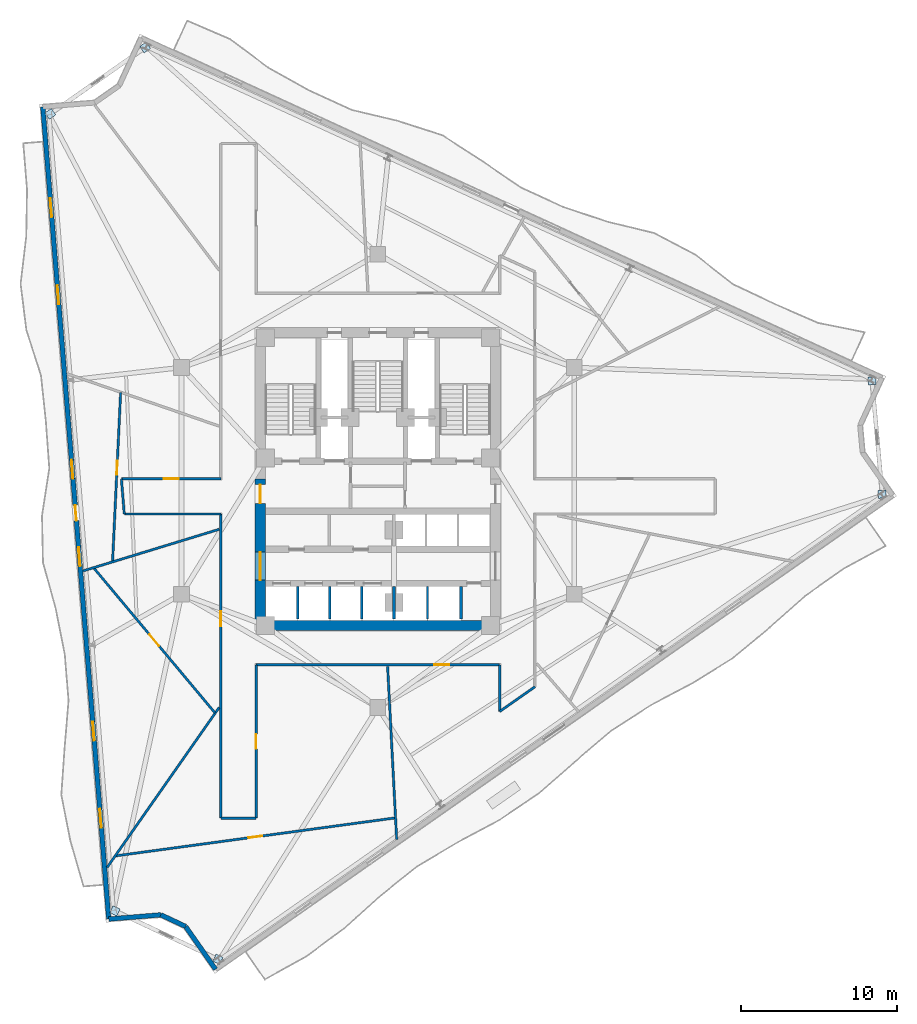
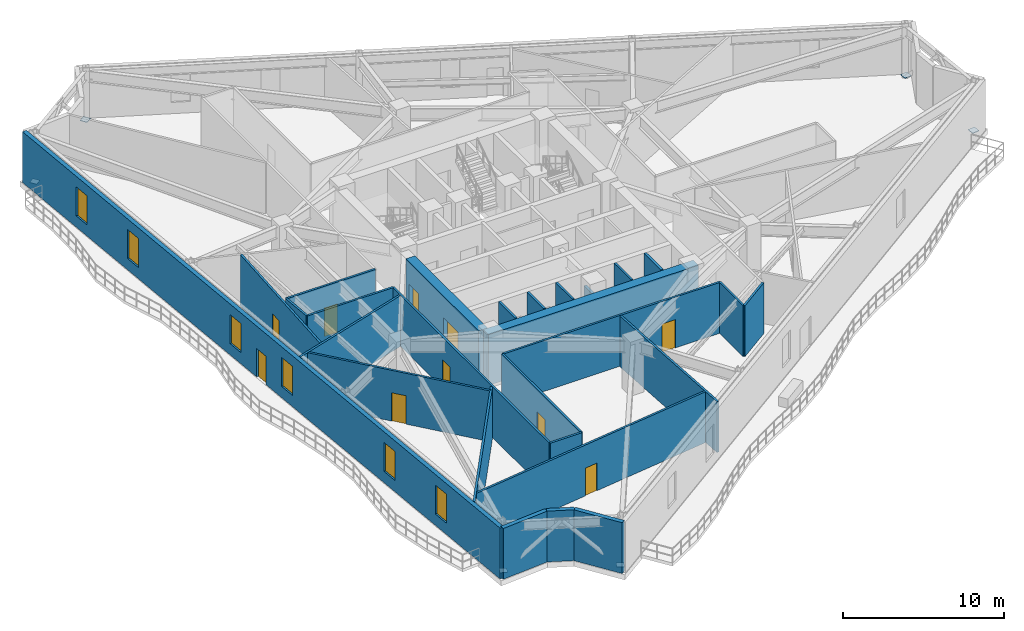
# One storey, part 7 of 14: 27 walls, 10 doors, 6 plates, 6 windows, 16 openings.
"""IFC4 building model written with IfcOpenShell, lengths in metres."""

from ifc_helpers import new_model, si_unit, direction, frame, frame_2d, origin, origin_2d, place, context, subcontext, project, spatial, rectangle, extrude, material, layer, layer_set, type_object, element, fill, save


model = new_model("IFC4")

# Units and contexts
model_context = context("Model", 3, precision=1e-05, world=origin(), true_north=direction((0.0, 1.0)))
body_context = subcontext(model_context, "Body", "Model", "MODEL_VIEW")
ifc_project = project(units=[si_unit("LENGTHUNIT", "METRE"), si_unit("AREAUNIT", "SQUARE_METRE"), si_unit("VOLUMEUNIT", "CUBIC_METRE"), si_unit("PLANEANGLEUNIT", "RADIAN"), si_unit("MASSUNIT", "GRAM", prefix="KILO")], contexts=[model_context])

# Site, building, storey
site_placement = place(None, origin())
site = spatial("IfcSite", under=ifc_project, at=site_placement, CompositionType="ELEMENT")
building_placement = place(site_placement, origin())
building = spatial("IfcBuilding", under=site, at=building_placement, Name="Apsidion Concourse Tower", CompositionType="ELEMENT")
storey_placement = place(building_placement, frame((0.0, 0.0, 194.199951171875)))
storey = spatial("IfcBuildingStorey", under=building, at=storey_placement, Name="L45", CompositionType="ELEMENT", Elevation=194.199951171875)

# Plates
ifc_material_1 = material(Name="Structural steel ASTM A572 Grade 50", Category="steel")
ifc_layer_1 = layer(ifc_material_1, 0.034912109375)
ifc_layer_set_1 = layer_set([ifc_layer_1], Name="Structural steel ASTM A572 Grade 50")
plate_type = type_object("IfcPlateType", Name="PL-ENDCAP-35", PredefinedType="USERDEFINED", material=ifc_layer_set_1)
for number, where, z_axis, x_axis, name in (
    (1, (-16.824951171875, -27.514892578125, 0.1025390625), (0.0, 0.0, 1.0), (-0.904975622348, 0.425463421407, 0.0), "L45 Chevron Base End Plate KNB-1-1"),
    (2, (-10.234619140625, -30.613525390625, 0.1025390625), (0.0, 0.0, 1.0), (-0.904975622348, 0.425463421407, 0.0), "L45 Chevron Base End Plate KNB-1-2"),
    (3, (32.267822265625, -0.853271484375, 0.1025390625), (0.0, 0.0, 1.0), (-0.090284945449, 0.995915974681, 0.0), "L45 Chevron Base End Plate KNB-2-1"),
    (4, (31.60986328125, 6.399658203125, 0.1025390625), (0.0, 0.0, 1.0), (-0.090284945449, 0.995915974681, 0.0), "L45 Chevron Base End Plate KNB-2-2"),
    (5, (-14.887451171875, 27.71923828125, 0.1025390625), (0.0, 0.0, 1.0), (0.819152044289, 0.573576436351, 0.0), "L45 Chevron Base End Plate KNB-3-1"),
    (6, (-20.955810546875, 23.47021484375, 0.1025390625), (0.0, 0.0, 1.0), (0.819152044289, 0.573576436351, 0.0), "L45 Chevron Base End Plate KNB-3-2"),
):
    element("IfcPlate", number, at=place(storey_placement, frame(where, z_axis=z_axis, x_axis=x_axis)), inside=storey, type_object=plate_type, Name=name, ObjectType="FLANGE_PLATE", PredefinedType="USERDEFINED", context=body_context, shape_type="SweptSolid", body=[
        extrude(rectangle(XDim=0.5, YDim=0.5, at=origin_2d()), origin(), (0.0, 0.0, 1.0), 0.034912109375),
    ])

# Walls
ifc_material_2 = material(Name="Precast concrete C40/50", Category="concrete")
ifc_layer_2 = layer(ifc_material_2, 0.300048828125)
ifc_layer_set_2 = layer_set([ifc_layer_2], Name="Precast concrete C40/50")
wall_type_1 = type_object("IfcWallType", Name="WL-EXT-300", PredefinedType="STANDARD", material=ifc_layer_set_2)
wall_1_placement = place(storey_placement, frame((-10.384033203125, -31.251708984375, 0.0), z_axis=(0.0, 0.0, 1.0), x_axis=(-0.573550493689, 0.819170208925, 0.0)))
element("IfcWall", 7, at=wall_1_placement, inside=storey, type_object=wall_type_1, Name="L45 Precast Stone Facade Wall 06", PredefinedType="STANDARD", context=body_context, shape_type="SweptSolid", body=[
    extrude(rectangle(XDim=3.345703125, YDim=0.300048828125, at=frame_2d((1.6728515625, 0.0))), origin(), (0.0, 0.0, 1.0), 3.85009765625),
])
wall_2_placement = place(storey_placement, frame((-12.302978515625, -28.510986328125, 0.0), z_axis=(0.0, 0.0, 1.0), x_axis=(-0.904974111733, 0.425466634523, 0.0)))
element("IfcWall", 8, at=wall_2_placement, inside=storey, type_object=wall_type_1, Name="L45 Precast Stone Facade Wall 07", PredefinedType="STANDARD", context=body_context, shape_type="SweptSolid", body=[
    extrude(rectangle(XDim=1.743896484375, YDim=0.300048828125, at=frame_2d((0.8720703125, 0.0))), origin(), (0.0, 0.0, 1.0), 3.85009765625),
])
wall_3_placement = place(storey_placement, frame((-13.881103515625, -27.76904296875, 0.0), z_axis=(0.0, 0.0, 1.0), x_axis=(-0.996720145674, -0.080925590567, 0.0)))
element("IfcWall", 9, at=wall_3_placement, inside=storey, type_object=wall_type_1, Name="L45 Precast Stone Facade Wall 08", PredefinedType="STANDARD", context=body_context, shape_type="SweptSolid", body=[
    extrude(rectangle(XDim=3.345703125, YDim=0.300048828125, at=frame_2d((1.6728515625, 0.0))), origin(), (0.0, 0.0, 1.0), 3.85009765625),
])

# Wall, openings, door, windows
wall_4_placement = place(storey_placement, frame((-17.2158203125, -28.039794921875, 0.0), z_axis=(0.0, 0.0, 1.0), x_axis=(-0.080930933538, 0.996719711853, 0.0)))
wall_4 = element("IfcWall", 10, at=wall_4_placement, inside=storey, type_object=wall_type_1, Name="L45 Precast Stone Facade Wall 09", PredefinedType="STANDARD", context=body_context, shape_type="SweptSolid", body=[
    extrude(rectangle(XDim=52.127685546875, YDim=0.300048828125, at=frame_2d((26.06396484375, 0.0))), origin(), (0.0, 0.0, 1.0), 3.85009765625),
])
opening_1_placement = place(wall_4_placement, frame((25.56396484375, 0.0, 0.0)))
opening_1 = element("IfcOpeningElement", 11, at=opening_1_placement, cuts=wall_4, Name="Opening D-T1R", PredefinedType="OPENING", context=body_context, shape_type="SweptSolid", body=[
    extrude(rectangle(XDim=1.0, YDim=2.14990234375, at=frame_2d((0.5, 1.074951171875))), frame((0.0, 0.16015625, 0.0), z_axis=(0.0, -1.0, 0.0), x_axis=(1.0, 0.0, 0.0)), (0.0, 0.0, 1.0), 0.320068359375),
])
opening_2_placement = place(wall_4_placement, frame((5.864013671875, 0.0, 0.85009765625)))
opening_2 = element("IfcOpeningElement", 12, at=opening_2_placement, cuts=wall_4, Name="Opening WN-06", PredefinedType="OPENING", context=body_context, shape_type="SweptSolid", body=[
    extrude(rectangle(XDim=1.199951171875, YDim=2.199951171875, at=frame_2d((0.60009765625, 1.10009765625))), frame((0.0, 0.16015625, 0.0), z_axis=(0.0, -1.0, 0.0), x_axis=(1.0, 0.0, 0.0)), (0.0, 0.0, 1.0), 0.320068359375),
])
opening_3_placement = place(wall_4_placement, frame((11.4638671875, 0.0, 0.85009765625)))
opening_3 = element("IfcOpeningElement", 13, at=opening_3_placement, cuts=wall_4, Name="Opening WN-06", PredefinedType="OPENING", context=body_context, shape_type="SweptSolid", body=[
    extrude(rectangle(XDim=1.199951171875, YDim=2.199951171875, at=frame_2d((0.60009765625, 1.10009765625))), frame((0.0, 0.16015625, 0.0), z_axis=(0.0, -1.0, 0.0), x_axis=(1.0, 0.0, 0.0)), (0.0, 0.0, 1.0), 0.320068359375),
])
opening_4_placement = place(wall_4_placement, frame((22.663818359375, 0.0, 0.85009765625)))
opening_4 = element("IfcOpeningElement", 14, at=opening_4_placement, cuts=wall_4, Name="Opening WN-06", PredefinedType="OPENING", context=body_context, shape_type="SweptSolid", body=[
    extrude(rectangle(XDim=1.199951171875, YDim=2.199951171875, at=frame_2d((0.60009765625, 1.10009765625))), frame((0.0, 0.16015625, 0.0), z_axis=(0.0, -1.0, 0.0), x_axis=(1.0, 0.0, 0.0)), (0.0, 0.0, 1.0), 0.320068359375),
])
opening_5_placement = place(wall_4_placement, frame((28.263916015625, 0.0, 0.85009765625)))
opening_5 = element("IfcOpeningElement", 15, at=opening_5_placement, cuts=wall_4, Name="Opening WN-06", PredefinedType="OPENING", context=body_context, shape_type="SweptSolid", body=[
    extrude(rectangle(XDim=1.199951171875, YDim=2.199951171875, at=frame_2d((0.60009765625, 1.10009765625))), frame((0.0, 0.16015625, 0.0), z_axis=(0.0, -1.0, 0.0), x_axis=(1.0, 0.0, 0.0)), (0.0, 0.0, 1.0), 0.320068359375),
])
opening_6_placement = place(wall_4_placement, frame((39.4638671875, 0.0, 0.85009765625)))
opening_6 = element("IfcOpeningElement", 16, at=opening_6_placement, cuts=wall_4, Name="Opening WN-06", PredefinedType="OPENING", context=body_context, shape_type="SweptSolid", body=[
    extrude(rectangle(XDim=1.199951171875, YDim=2.199951171875, at=frame_2d((0.60009765625, 1.10009765625))), frame((0.0, 0.16015625, 0.0), z_axis=(0.0, -1.0, 0.0), x_axis=(1.0, 0.0, 0.0)), (0.0, 0.0, 1.0), 0.320068359375),
])
opening_7_placement = place(wall_4_placement, frame((45.06396484375, 0.0, 0.85009765625)))
opening_7 = element("IfcOpeningElement", 17, at=opening_7_placement, cuts=wall_4, Name="Opening WN-06", PredefinedType="OPENING", context=body_context, shape_type="SweptSolid", body=[
    extrude(rectangle(XDim=1.199951171875, YDim=2.199951171875, at=frame_2d((0.60009765625, 1.10009765625))), frame((0.0, 0.16015625, 0.0), z_axis=(0.0, -1.0, 0.0), x_axis=(1.0, 0.0, 0.0)), (0.0, 0.0, 1.0), 0.320068359375),
])
ifc_material_3 = material(Name="Anodised aluminium EN AW-6063 T6", Category="aluminium")
door_type_1 = type_object("IfcDoorType", Name="DR-TER-1022R", OperationType="SINGLE_SWING_RIGHT", PredefinedType="DOOR", material=ifc_material_3)
door_1_placement = place(opening_1_placement, origin())
door_1 = element("IfcDoor", 18, at=door_1_placement, inside=storey, type_object=door_type_1, Name="L45 Balcony Access Door 1", OperationType="SINGLE_SWING_RIGHT", OverallHeight=2.14990234375, OverallWidth=1.0, PredefinedType="DOOR", context=body_context, shape_type="SweptSolid", body=[
    extrude(rectangle(XDim=1.0, YDim=2.14990234375, at=frame_2d((0.5, 1.074951171875))), frame((0.0, 0.02490234375, 0.0), z_axis=(0.0, -1.0, 0.0), x_axis=(1.0, 0.0, 0.0)), (0.0, 0.0, 1.0), 0.050048828125),
])
fill(opening_1, door_1)
ifc_material_4 = material(Name="Insulated laminated low-E glass", Category="glass")
window_type = type_object("IfcWindowType", Name="WN-OFF-1224", PartitioningType="SINGLE_PANEL", PredefinedType="WINDOW", material=ifc_material_4)
window_1_placement = place(opening_2_placement, origin())
window_1 = element("IfcWindow", 19, at=window_1_placement, inside=storey, type_object=window_type, Name="L45 Punched Facade Window 9-01", OverallHeight=2.199951171875, OverallWidth=1.199951171875, PartitioningType="SINGLE_PANEL", PredefinedType="WINDOW", context=body_context, shape_type="SweptSolid", body=[
    extrude(rectangle(XDim=1.199951171875, YDim=2.199951171875, at=frame_2d((0.60009765625, 1.10009765625))), frame((0.0, 0.030029296875, 0.0), z_axis=(0.0, -1.0, 0.0), x_axis=(1.0, 0.0, 0.0)), (0.0, 0.0, 1.0), 0.06005859375),
])
fill(opening_2, window_1)
window_2_placement = place(opening_3_placement, origin())
window_2 = element("IfcWindow", 20, at=window_2_placement, inside=storey, type_object=window_type, Name="L45 Punched Facade Window 9-02", OverallHeight=2.199951171875, OverallWidth=1.199951171875, PartitioningType="SINGLE_PANEL", PredefinedType="WINDOW", context=body_context, shape_type="SweptSolid", body=[
    extrude(rectangle(XDim=1.199951171875, YDim=2.199951171875, at=frame_2d((0.60009765625, 1.10009765625))), frame((0.0, 0.030029296875, 0.0), z_axis=(0.0, -1.0, 0.0), x_axis=(1.0, 0.0, 0.0)), (0.0, 0.0, 1.0), 0.06005859375),
])
fill(opening_3, window_2)
window_3_placement = place(opening_4_placement, origin())
window_3 = element("IfcWindow", 21, at=window_3_placement, inside=storey, type_object=window_type, Name="L45 Punched Facade Window 9-04", OverallHeight=2.199951171875, OverallWidth=1.199951171875, PartitioningType="SINGLE_PANEL", PredefinedType="WINDOW", context=body_context, shape_type="SweptSolid", body=[
    extrude(rectangle(XDim=1.199951171875, YDim=2.199951171875, at=frame_2d((0.60009765625, 1.10009765625))), frame((0.0, 0.030029296875, 0.0), z_axis=(0.0, -1.0, 0.0), x_axis=(1.0, 0.0, 0.0)), (0.0, 0.0, 1.0), 0.06005859375),
])
fill(opening_4, window_3)
window_4_placement = place(opening_5_placement, origin())
window_4 = element("IfcWindow", 22, at=window_4_placement, inside=storey, type_object=window_type, Name="L45 Punched Facade Window 9-05", OverallHeight=2.199951171875, OverallWidth=1.199951171875, PartitioningType="SINGLE_PANEL", PredefinedType="WINDOW", context=body_context, shape_type="SweptSolid", body=[
    extrude(rectangle(XDim=1.199951171875, YDim=2.199951171875, at=frame_2d((0.60009765625, 1.10009765625))), frame((0.0, 0.030029296875, 0.0), z_axis=(0.0, -1.0, 0.0), x_axis=(1.0, 0.0, 0.0)), (0.0, 0.0, 1.0), 0.06005859375),
])
fill(opening_5, window_4)
window_5_placement = place(opening_6_placement, origin())
window_5 = element("IfcWindow", 23, at=window_5_placement, inside=storey, type_object=window_type, Name="L45 Punched Facade Window 9-07", OverallHeight=2.199951171875, OverallWidth=1.199951171875, PartitioningType="SINGLE_PANEL", PredefinedType="WINDOW", context=body_context, shape_type="SweptSolid", body=[
    extrude(rectangle(XDim=1.199951171875, YDim=2.199951171875, at=frame_2d((0.60009765625, 1.10009765625))), frame((0.0, 0.030029296875, 0.0), z_axis=(0.0, -1.0, 0.0), x_axis=(1.0, 0.0, 0.0)), (0.0, 0.0, 1.0), 0.06005859375),
])
fill(opening_6, window_5)
window_6_placement = place(opening_7_placement, origin())
window_6 = element("IfcWindow", 24, at=window_6_placement, inside=storey, type_object=window_type, Name="L45 Punched Facade Window 9-08", OverallHeight=2.199951171875, OverallWidth=1.199951171875, PartitioningType="SINGLE_PANEL", PredefinedType="WINDOW", context=body_context, shape_type="SweptSolid", body=[
    extrude(rectangle(XDim=1.199951171875, YDim=2.199951171875, at=frame_2d((0.60009765625, 1.10009765625))), frame((0.0, 0.030029296875, 0.0), z_axis=(0.0, -1.0, 0.0), x_axis=(1.0, 0.0, 0.0)), (0.0, 0.0, 1.0), 0.06005859375),
])
fill(opening_7, window_6)

# Walls
ifc_material_5 = material(Name="Gypsum plasterboard partition")
ifc_layer_3 = layer(ifc_material_5, 0.14990234375)
ifc_layer_set_3 = layer_set([ifc_layer_3], Name="Gypsum plasterboard partition")
wall_type_2 = type_object("IfcWallType", Name="WL-INT-PAR-150", PredefinedType="PARTITIONING", material=ifc_layer_set_3)
for number, where, z_axis, x_axis, name in (
    (25, (-5.125, -8.85009765625, 0.0), (0.0, 0.0, 1.0), (0.0, 1.0, 0.0), "L45 Interior Partition WL-L45-B2DIV-1"),
    (26, (-3.074951171875, -8.85009765625, 0.0), (0.0, 0.0, 1.0), (0.0, 1.0, 0.0), "L45 Interior Partition WL-L45-B2DIV-2"),
    (27, (-1.02490234375, -8.85009765625, 0.0), (0.0, 0.0, 1.0), (0.0, 1.0, 0.0), "L45 Interior Partition WL-L45-B2DIV-3"),
    (28, (3.175048828125, -8.85009765625, 0.0), (0.0, 0.0, 1.0), (0.0, 1.0, 0.0), "L45 Interior Partition WL-L45-SHDIV-1"),
):
    element("IfcWall", number, at=place(storey_placement, frame(where, z_axis=z_axis, x_axis=x_axis)), inside=storey, type_object=wall_type_2, Name=name, PredefinedType="PARTITIONING", context=body_context, shape_type="SweptSolid", body=[
        extrude(rectangle(XDim=2.080078125, YDim=0.14990234375, at=frame_2d((1.0400390625, 0.0))), origin(), (0.0, 0.0, 1.0), 3.85009765625),
    ])
wall_5_placement = place(storey_placement, frame((10.050048828125, -13.177490234375, 0.0), z_axis=(0.0, 0.0, 1.0), x_axis=(-0.819144609591, -0.573587054053, 0.0)))
element("IfcWall", 29, at=wall_5_placement, inside=storey, type_object=wall_type_2, Name="L45 Interior Partition WL-L45-CORR-01", PredefinedType="PARTITIONING", context=body_context, shape_type="SweptSolid", body=[
    extrude(rectangle(XDim=2.759033203125, YDim=0.14990234375, at=frame_2d((1.37939453125, 0.0))), origin(), (0.0, 0.0, 1.0), 3.85009765625),
])
wall_6_placement = place(storey_placement, frame((7.7900390625, -14.760009765625, 0.0), z_axis=(0.0, 0.0, 1.0), x_axis=(0.0, 1.0, 0.0)))
element("IfcWall", 30, at=wall_6_placement, inside=storey, type_object=wall_type_2, Name="L45 Interior Partition WL-L45-CORR-02", PredefinedType="PARTITIONING", context=body_context, shape_type="SweptSolid", body=[
    extrude(rectangle(XDim=2.985107421875, YDim=0.14990234375, at=frame_2d((1.49267578125, 0.0))), origin(), (0.0, 0.0, 1.0), 3.85009765625),
])

# Wall, opening, door
wall_7_placement = place(storey_placement, frame((7.7900390625, -11.77490234375, 0.0), z_axis=(0.0, 0.0, 1.0), x_axis=(-1.0, 0.0, 0.0)))
wall_7 = element("IfcWall", 31, at=wall_7_placement, inside=storey, type_object=wall_type_2, Name="L45 Interior Partition WL-L45-CORR-03", PredefinedType="PARTITIONING", context=body_context, shape_type="SweptSolid", body=[
    extrude(rectangle(XDim=15.580078125, YDim=0.14990234375, at=frame_2d((7.7900390625, 0.0))), origin(), (0.0, 0.0, 1.0), 3.85009765625),
])
opening_8_placement = place(wall_7_placement, frame((3.23779296875, 0.0, 0.0)))
opening_8 = element("IfcOpeningElement", 32, at=opening_8_placement, cuts=wall_7, Name="Opening D-01L", PredefinedType="OPENING", context=body_context, shape_type="SweptSolid", body=[
    extrude(rectangle(XDim=0.949951171875, YDim=2.14990234375, at=frame_2d((0.47509765625, 1.074951171875))), frame((0.0, 0.0849609375, 0.0), z_axis=(0.0, -1.0, 0.0), x_axis=(1.0, 0.0, 0.0)), (0.0, 0.0, 1.0), 0.169921875),
])
ifc_material_6 = material(Name="Brushed stainless steel 316", Category="steel")
door_type_2 = type_object("IfcDoorType", Name="DR-INT-D01L", OperationType="SINGLE_SWING_LEFT", PredefinedType="DOOR", material=ifc_material_6)
door_2_placement = place(opening_8_placement, origin())
door_2 = element("IfcDoor", 33, at=door_2_placement, inside=storey, type_object=door_type_2, Name="L45 Corridor Entry Door 03", OperationType="SINGLE_SWING_LEFT", OverallHeight=2.14990234375, OverallWidth=0.949951171875, PredefinedType="DOOR", context=body_context, shape_type="SweptSolid", body=[
    extrude(rectangle(XDim=0.949951171875, YDim=2.14990234375, at=frame_2d((0.47509765625, 1.074951171875))), frame((0.0, 0.02490234375, 0.0), z_axis=(0.0, -1.0, 0.0), x_axis=(1.0, 0.0, 0.0)), (0.0, 0.0, 1.0), 0.050048828125),
])
fill(opening_8, door_2)

wall_8_placement = place(storey_placement, frame((-7.7900390625, -11.77490234375, 0.0), z_axis=(0.0, 0.0, 1.0), x_axis=(0.0, -1.0, 0.0)))
wall_8 = element("IfcWall", 34, at=wall_8_placement, inside=storey, type_object=wall_type_2, Name="L45 Interior Partition WL-L45-CORR-04", PredefinedType="PARTITIONING", context=body_context, shape_type="SweptSolid", body=[
    extrude(rectangle(XDim=9.80517578125, YDim=0.14990234375, at=frame_2d((4.902587890625, 0.0))), origin(), (0.0, 0.0, 1.0), 3.85009765625),
])
opening_9_placement = place(wall_8_placement, frame((4.427490234375, 0.0, 0.0)))
opening_9 = element("IfcOpeningElement", 35, at=opening_9_placement, cuts=wall_8, Name="Opening D-01R", PredefinedType="OPENING", context=body_context, shape_type="SweptSolid", body=[
    extrude(rectangle(XDim=0.949951171875, YDim=2.14990234375, at=frame_2d((0.47509765625, 1.074951171875))), frame((0.0, 0.0849609375, 0.0), z_axis=(0.0, -1.0, 0.0), x_axis=(1.0, 0.0, 0.0)), (0.0, 0.0, 1.0), 0.169921875),
])
door_type_3 = type_object("IfcDoorType", Name="DR-INT-D01R", OperationType="SINGLE_SWING_RIGHT", PredefinedType="DOOR", material=ifc_material_6)
door_3_placement = place(opening_9_placement, origin())
door_3 = element("IfcDoor", 36, at=door_3_placement, inside=storey, type_object=door_type_3, Name="L45 Corridor Entry Door 02", OperationType="SINGLE_SWING_RIGHT", OverallHeight=2.14990234375, OverallWidth=0.949951171875, PredefinedType="DOOR", context=body_context, shape_type="SweptSolid", body=[
    extrude(rectangle(XDim=0.949951171875, YDim=2.14990234375, at=frame_2d((0.47509765625, 1.074951171875))), frame((0.0, 0.02490234375, 0.0), z_axis=(0.0, -1.0, 0.0), x_axis=(1.0, 0.0, 0.0)), (0.0, 0.0, 1.0), 0.050048828125),
])
fill(opening_9, door_3)

# Wall
wall_9_placement = place(storey_placement, frame((-7.7900390625, -21.580078125, 0.0), z_axis=(0.0, 0.0, 1.0), x_axis=(-1.0, 0.0, 0.0)))
element("IfcWall", 37, at=wall_9_placement, inside=storey, type_object=wall_type_2, Name="L45 Interior Partition WL-L45-CORR-05", PredefinedType="PARTITIONING", context=body_context, shape_type="SweptSolid", body=[
    extrude(rectangle(XDim=2.260009765625, YDim=0.14990234375, at=frame_2d((1.1298828125, 0.0))), origin(), (0.0, 0.0, 1.0), 3.85009765625),
])

# Wall, opening, door
wall_10_placement = place(storey_placement, frame((-10.050048828125, -21.580078125, 0.0), z_axis=(0.0, 0.0, 1.0), x_axis=(0.0, 1.0, 0.0)))
wall_10 = element("IfcWall", 38, at=wall_10_placement, inside=storey, type_object=wall_type_2, Name="L45 Interior Partition WL-L45-CORR-06", PredefinedType="PARTITIONING", context=body_context, shape_type="SweptSolid", body=[
    extrude(rectangle(XDim=19.4501953125, YDim=0.14990234375, at=frame_2d((9.72509765625, 0.0))), origin(), (0.0, 0.0, 1.0), 3.85009765625),
])
opening_10_placement = place(wall_10_placement, frame((12.2744140625, 0.0, 0.0)))
opening_10 = element("IfcOpeningElement", 39, at=opening_10_placement, cuts=wall_10, Name="Opening D-01L", PredefinedType="OPENING", context=body_context, shape_type="SweptSolid", body=[
    extrude(rectangle(XDim=0.949951171875, YDim=2.14990234375, at=frame_2d((0.47509765625, 1.074951171875))), frame((0.0, 0.0849609375, 0.0), z_axis=(0.0, -1.0, 0.0), x_axis=(1.0, 0.0, 0.0)), (0.0, 0.0, 1.0), 0.169921875),
])
door_4_placement = place(opening_10_placement, origin())
door_4 = element("IfcDoor", 40, at=door_4_placement, inside=storey, type_object=door_type_2, Name="L45 Corridor Entry Door 01", OperationType="SINGLE_SWING_LEFT", OverallHeight=2.14990234375, OverallWidth=0.949951171875, PredefinedType="DOOR", context=body_context, shape_type="SweptSolid", body=[
    extrude(rectangle(XDim=0.949951171875, YDim=2.14990234375, at=frame_2d((0.47509765625, 1.074951171875))), frame((0.0, 0.02490234375, 0.0), z_axis=(0.0, -1.0, 0.0), x_axis=(1.0, 0.0, 0.0)), (0.0, 0.0, 1.0), 0.050048828125),
])
fill(opening_10, door_4)

# Walls
wall_11_placement = place(storey_placement, frame((-10.050048828125, -2.1298828125, 0.0), z_axis=(0.0, 0.0, 1.0), x_axis=(-1.0, 0.0, 0.0)))
element("IfcWall", 41, at=wall_11_placement, inside=storey, type_object=wall_type_2, Name="L45 Interior Partition WL-L45-CORR-07", PredefinedType="PARTITIONING", context=body_context, shape_type="SweptSolid", body=[
    extrude(rectangle(XDim=6.17431640625, YDim=0.14990234375, at=frame_2d((3.087158203125, 0.0))), origin(), (0.0, 0.0, 1.0), 3.85009765625),
])
wall_12_placement = place(storey_placement, frame((-16.224365234375, -2.1298828125, 0.0), z_axis=(0.0, 0.0, 1.0), x_axis=(-0.080977783256, 0.996715906675, 0.0)))
element("IfcWall", 42, at=wall_12_placement, inside=storey, type_object=wall_type_2, Name="L45 Interior Partition WL-L45-CORR-08", PredefinedType="PARTITIONING", context=body_context, shape_type="SweptSolid", body=[
    extrude(rectangle(XDim=2.26708984375, YDim=0.14990234375, at=frame_2d((1.133544921875, 0.0))), origin(), (0.0, 0.0, 1.0), 3.85009765625),
])

# Wall, opening, door
wall_13_placement = place(storey_placement, frame((-16.407958984375, 0.1298828125, 0.0), z_axis=(0.0, 0.0, 1.0), x_axis=(1.0, 0.0, 0.0)))
wall_13 = element("IfcWall", 43, at=wall_13_placement, inside=storey, type_object=wall_type_2, Name="L45 Interior Partition WL-L45-CORR-09", PredefinedType="PARTITIONING", context=body_context, shape_type="SweptSolid", body=[
    extrude(rectangle(XDim=6.35791015625, YDim=0.14990234375, at=frame_2d((3.178955078125, 0.0))), origin(), (0.0, 0.0, 1.0), 3.85009765625),
])
opening_11_placement = place(wall_13_placement, frame((2.7041015625, 0.0, 0.0)))
opening_11 = element("IfcOpeningElement", 44, at=opening_11_placement, cuts=wall_13, Name="Opening D-01R", PredefinedType="OPENING", context=body_context, shape_type="SweptSolid", body=[
    extrude(rectangle(XDim=0.949951171875, YDim=2.14990234375, at=frame_2d((0.47509765625, 1.074951171875))), frame((0.0, 0.0849609375, 0.0), z_axis=(0.0, -1.0, 0.0), x_axis=(1.0, 0.0, 0.0)), (0.0, 0.0, 1.0), 0.169921875),
])
door_5_placement = place(opening_11_placement, origin())
door_5 = element("IfcDoor", 45, at=door_5_placement, inside=storey, type_object=door_type_3, Name="L45 Corridor Entry Door 10", OperationType="SINGLE_SWING_RIGHT", OverallHeight=2.14990234375, OverallWidth=0.949951171875, PredefinedType="DOOR", context=body_context, shape_type="SweptSolid", body=[
    extrude(rectangle(XDim=0.949951171875, YDim=2.14990234375, at=frame_2d((0.47509765625, 1.074951171875))), frame((0.0, 0.02490234375, 0.0), z_axis=(0.0, -1.0, 0.0), x_axis=(1.0, 0.0, 0.0)), (0.0, 0.0, 1.0), 0.050048828125),
])
fill(opening_11, door_5)

# Walls
wall_14_placement = place(storey_placement, frame((-10.155029296875, -3.104736328125, 0.0), z_axis=(0.0, 0.0, 1.0), x_axis=(-0.956309289752, -0.292356874955, 0.0)))
element("IfcWall", 46, at=wall_14_placement, inside=storey, type_object=wall_type_2, Name="L45 Interior Partition WL-L45-RAD-06-1", PredefinedType="PARTITIONING", context=body_context, shape_type="SweptSolid", body=[
    extrude(rectangle(XDim=9.1015625, YDim=0.14990234375, at=frame_2d((4.55078125, 0.0))), origin(), (0.0, 0.0, 1.0), 3.85009765625),
])
wall_15_placement = place(storey_placement, frame((-10.155029296875, -14.502685546875, 0.0), z_axis=(0.0, 0.0, 1.0), x_axis=(-0.573564669428, -0.819160283452, 0.0)))
element("IfcWall", 47, at=wall_15_placement, inside=storey, type_object=wall_type_2, Name="L45 Interior Partition WL-L45-RAD-07-1", PredefinedType="PARTITIONING", context=body_context, shape_type="SweptSolid", body=[
    extrude(rectangle(XDim=12.489501953125, YDim=0.14990234375, at=frame_2d((6.24462890625, 0.0))), origin(), (0.0, 0.0, 1.0), 3.85009765625),
])
wall_16_placement = place(storey_placement, frame((0.62255859375, -11.8798828125, 0.0), z_axis=(0.0, 0.0, 1.0), x_axis=(0.052343583117, -0.998629135018, 0.0)))
element("IfcWall", 48, at=wall_16_placement, inside=storey, type_object=wall_type_2, Name="L45 Interior Partition WL-L45-RAD-08-1", PredefinedType="PARTITIONING", context=body_context, shape_type="SweptSolid", body=[
    extrude(rectangle(XDim=11.07275390625, YDim=0.14990234375, at=frame_2d((5.536376953125, 0.0))), origin(), (0.0, 0.0, 1.0), 3.85009765625),
])

# Wall, opening, door
wall_17_placement = place(storey_placement, frame((-18.171142578125, -5.58154296875, 0.0), z_axis=(0.0, 0.0, 1.0), x_axis=(0.641611222981, -0.767030011502, 0.0)))
wall_17 = element("IfcWall", 49, at=wall_17_placement, inside=storey, type_object=wall_type_2, Name="L45 Interior Partition WL-L45-CHD-OFWC", PredefinedType="PARTITIONING", context=body_context, shape_type="SweptSolid", body=[
    extrude(rectangle(XDim=12.07470703125, YDim=0.14990234375, at=frame_2d((6.037353515625, 0.0))), origin(), (0.0, 0.0, 1.0), 3.85009765625),
])
opening_12_placement = place(wall_17_placement, frame((5.5625, 0.0, 0.0)))
opening_12 = element("IfcOpeningElement", 50, at=opening_12_placement, cuts=wall_17, Name="Opening D-04L", PredefinedType="OPENING", context=body_context, shape_type="SweptSolid", body=[
    extrude(rectangle(XDim=0.949951171875, YDim=2.14990234375, at=frame_2d((0.47509765625, 1.074951171875))), frame((0.0, 0.0849609375, 0.0), z_axis=(0.0, -1.0, 0.0), x_axis=(1.0, 0.0, 0.0)), (0.0, 0.0, 1.0), 0.169921875),
])
door_type_4 = type_object("IfcDoorType", Name="DR-INT-D04L", OperationType="SINGLE_SWING_LEFT", PredefinedType="DOOR", material=ifc_material_6)
door_6_placement = place(opening_12_placement, origin())
door_6 = element("IfcDoor", 51, at=door_6_placement, inside=storey, type_object=door_type_4, Name="L45 Suite Connecting Door OFWC", OperationType="SINGLE_SWING_LEFT", OverallHeight=2.14990234375, OverallWidth=0.949951171875, PredefinedType="DOOR", context=body_context, shape_type="SweptSolid", body=[
    extrude(rectangle(XDim=0.949951171875, YDim=2.14990234375, at=frame_2d((0.47509765625, 1.074951171875))), frame((0.0, 0.02490234375, 0.0), z_axis=(0.0, -1.0, 0.0), x_axis=(1.0, 0.0, 0.0)), (0.0, 0.0, 1.0), 0.050048828125),
])
fill(opening_12, door_6)

wall_18_placement = place(storey_placement, frame((-16.77099609375, -23.9951171875, 0.0), z_axis=(0.0, 0.0, 1.0), x_axis=(0.990900115412, 0.134599261795, 0.0)))
wall_18 = element("IfcWall", 52, at=wall_18_placement, inside=storey, type_object=wall_type_2, Name="L45 Interior Partition WL-L45-CHD-OFS01", PredefinedType="PARTITIONING", context=body_context, shape_type="SweptSolid", body=[
    extrude(rectangle(XDim=18.040283203125, YDim=0.14990234375, at=frame_2d((9.02001953125, 0.0))), origin(), (0.0, 0.0, 1.0), 3.85009765625),
])
opening_13_placement = place(wall_18_placement, frame((8.5703125, 0.0, 0.0)))
opening_13 = element("IfcOpeningElement", 53, at=opening_13_placement, cuts=wall_18, Name="Opening D-02R", PredefinedType="OPENING", context=body_context, shape_type="SweptSolid", body=[
    extrude(rectangle(XDim=0.89990234375, YDim=2.10009765625, at=frame_2d((0.449951171875, 1.050048828125))), frame((0.0, 0.0849609375, 0.0), z_axis=(0.0, -1.0, 0.0), x_axis=(1.0, 0.0, 0.0)), (0.0, 0.0, 1.0), 0.169921875),
])
door_type_5 = type_object("IfcDoorType", Name="DR-INT-D02R", OperationType="SINGLE_SWING_RIGHT", PredefinedType="DOOR", material=ifc_material_3)
door_7_placement = place(opening_13_placement, origin())
door_7 = element("IfcDoor", 54, at=door_7_placement, inside=storey, type_object=door_type_5, Name="L45 Suite Connecting Door OFS01", OperationType="SINGLE_SWING_RIGHT", OverallHeight=2.10009765625, OverallWidth=0.89990234375, PredefinedType="DOOR", context=body_context, shape_type="SweptSolid", body=[
    extrude(rectangle(XDim=0.89990234375, YDim=2.10009765625, at=frame_2d((0.449951171875, 1.050048828125))), frame((0.0, 0.02490234375, 0.0), z_axis=(0.0, -1.0, 0.0), x_axis=(1.0, 0.0, 0.0)), (0.0, 0.0, 1.0), 0.050048828125),
])
fill(opening_13, door_7)

wall_19_placement = place(storey_placement, frame((-16.456787109375, 5.64013671875, 0.0), z_axis=(0.0, 0.0, 1.0), x_axis=(-0.047609123219, -0.998866042764, 0.0)))
wall_19 = element("IfcWall", 55, at=wall_19_placement, inside=storey, type_object=wall_type_2, Name="L45 Interior Partition WL-L45-CHD-OFS09", PredefinedType="PARTITIONING", context=body_context, shape_type="SweptSolid", body=[
    extrude(rectangle(XDim=10.81494140625, YDim=0.14990234375, at=frame_2d((5.407470703125, 0.0))), origin(), (0.0, 0.0, 1.0), 3.85009765625),
])
opening_14_placement = place(wall_19_placement, frame((4.357421875, 0.0, 0.0)))
opening_14 = element("IfcOpeningElement", 56, at=opening_14_placement, cuts=wall_19, Name="Opening D-02R", PredefinedType="OPENING", context=body_context, shape_type="SweptSolid", body=[
    extrude(rectangle(XDim=0.89990234375, YDim=2.10009765625, at=frame_2d((0.449951171875, 1.050048828125))), frame((0.0, 0.0849609375, 0.0), z_axis=(0.0, -1.0, 0.0), x_axis=(1.0, 0.0, 0.0)), (0.0, 0.0, 1.0), 0.169921875),
])
door_8_placement = place(opening_14_placement, origin())
door_8 = element("IfcDoor", 57, at=door_8_placement, inside=storey, type_object=door_type_5, Name="L45 Suite Connecting Door OFS09", OperationType="SINGLE_SWING_RIGHT", OverallHeight=2.10009765625, OverallWidth=0.89990234375, PredefinedType="DOOR", context=body_context, shape_type="SweptSolid", body=[
    extrude(rectangle(XDim=0.89990234375, YDim=2.10009765625, at=frame_2d((0.449951171875, 1.050048828125))), frame((0.0, 0.02490234375, 0.0), z_axis=(0.0, -1.0, 0.0), x_axis=(1.0, 0.0, 0.0)), (0.0, 0.0, 1.0), 0.050048828125),
])
fill(opening_14, door_8)

# Walls
ifc_layer_4 = layer(ifc_material_5, 0.179931640625)
ifc_layer_set_4 = layer_set([ifc_layer_4], Name="Gypsum plasterboard partition")
wall_type_3 = type_object("IfcWallType", Name="WL-INT-PAR-180", PredefinedType="PARTITIONING", material=ifc_layer_set_4)
wall_20_placement = place(storey_placement, frame((1.02490234375, -8.85009765625, 0.0), z_axis=(0.0, 0.0, 1.0), x_axis=(0.0, 1.0, 0.0)))
element("IfcWall", 58, at=wall_20_placement, inside=storey, type_object=wall_type_3, Name="L45 Interior Partition WL-L45-B2END", PredefinedType="PARTITIONING", context=body_context, shape_type="SweptSolid", body=[
    extrude(rectangle(XDim=2.080078125, YDim=0.179931640625, at=frame_2d((1.0400390625, 0.0))), origin(), (0.0, 0.0, 1.0), 2.89794921875),
])
wall_21_placement = place(storey_placement, frame((5.324951171875, -8.85009765625, 0.0), z_axis=(0.0, 0.0, 1.0), x_axis=(0.0, 1.0, 0.0)))
element("IfcWall", 59, at=wall_21_placement, inside=storey, type_object=wall_type_3, Name="L45 Interior Partition WL-L45-SHDIV-2", PredefinedType="PARTITIONING", context=body_context, shape_type="SweptSolid", body=[
    extrude(rectangle(XDim=2.080078125, YDim=0.179931640625, at=frame_2d((1.0400390625, 0.0))), origin(), (0.0, 0.0, 1.0), 3.85009765625),
])

# Wall, openings, doors
ifc_material_7 = material(Name="Concrete C50/60", Category="concrete")
ifc_layer_5 = layer(ifc_material_7, 0.64990234375)
ifc_layer_set_5 = layer_set([ifc_layer_5], Name="Concrete C50/60")
wall_type_4 = type_object("IfcWallType", Name="WL-SH-650", PredefinedType="SHEAR", material=ifc_layer_set_5)
wall_22_placement = place(storey_placement, frame((-7.52490234375, -8.925048828125, 0.0), z_axis=(0.0, 0.0, 1.0), x_axis=(0.0, 1.0, 0.0)))
wall_22 = element("IfcWall", 60, at=wall_22_placement, inside=storey, type_object=wall_type_4, Name="L45 Central Core Shear Wall WS", PredefinedType="SHEAR", context=body_context, shape_type="SweptSolid", body=[
    extrude(rectangle(XDim=9.025146484375, YDim=0.64990234375, at=frame_2d((4.5126953125, 0.0))), origin(), (0.0, 0.0, 1.0), 3.85009765625),
])
opening_15_placement = place(wall_22_placement, frame((2.56494140625, 0.0, 0.0)))
opening_15 = element("IfcOpeningElement", 61, at=opening_15_placement, cuts=wall_22, Name="Opening D-06D", PredefinedType="OPENING", context=body_context, shape_type="SweptSolid", body=[
    extrude(rectangle(XDim=1.800048828125, YDim=2.199951171875, at=frame_2d((0.89990234375, 1.10009765625))), frame((0.0, 0.3349609375, 0.0), z_axis=(0.0, -1.0, 0.0), x_axis=(1.0, 0.0, 0.0)), (0.0, 0.0, 1.0), 0.669921875),
])
opening_16_placement = place(wall_22_placement, frame((7.47509765625, 0.0, 0.0)))
opening_16 = element("IfcOpeningElement", 62, at=opening_16_placement, cuts=wall_22, Name="Opening D-FFL", PredefinedType="OPENING", context=body_context, shape_type="SweptSolid", body=[
    extrude(rectangle(XDim=1.199951171875, YDim=2.14990234375, at=frame_2d((0.60009765625, 1.074951171875))), frame((0.0, 0.3349609375, 0.0), z_axis=(0.0, -1.0, 0.0), x_axis=(1.0, 0.0, 0.0)), (0.0, 0.0, 1.0), 0.669921875),
])
door_type_6 = type_object("IfcDoorType", Name="DR-INT-D06D", OperationType="DOUBLE_DOOR_SINGLE_SWING", PredefinedType="DOOR", material=ifc_material_6)
door_9_placement = place(opening_15_placement, origin())
door_9 = element("IfcDoor", 63, at=door_9_placement, inside=storey, type_object=door_type_6, Name="L45 Passenger Lift Lobby WS Portal Door", OperationType="DOUBLE_DOOR_SINGLE_SWING", OverallHeight=2.199951171875, OverallWidth=1.800048828125, PredefinedType="DOOR", context=body_context, shape_type="SweptSolid", body=[
    extrude(rectangle(XDim=1.800048828125, YDim=2.199951171875, at=frame_2d((0.89990234375, 1.10009765625))), frame((0.0, 0.02490234375, 0.0), z_axis=(0.0, -1.0, 0.0), x_axis=(1.0, 0.0, 0.0)), (0.0, 0.0, 1.0), 0.050048828125),
])
fill(opening_15, door_9)
door_type_7 = type_object("IfcDoorType", Name="DR-INT-FFL", OperationType="SINGLE_SWING_LEFT", PredefinedType="DOOR", material=ifc_material_6)
door_10_placement = place(opening_16_placement, origin())
door_10 = element("IfcDoor", 64, at=door_10_placement, inside=storey, type_object=door_type_7, Name="L45 Firefighting Lift Lobby FF1 Door", OperationType="SINGLE_SWING_LEFT", OverallHeight=2.14990234375, OverallWidth=1.199951171875, PredefinedType="DOOR", context=body_context, shape_type="SweptSolid", body=[
    extrude(rectangle(XDim=1.199951171875, YDim=2.14990234375, at=frame_2d((0.60009765625, 1.074951171875))), frame((0.0, 0.02490234375, 0.0), z_axis=(0.0, -1.0, 0.0), x_axis=(1.0, 0.0, 0.0)), (0.0, 0.0, 1.0), 0.050048828125),
])
fill(opening_16, door_10)

# Wall
wall_23_placement = place(storey_placement, frame((-7.52490234375, -9.25, 0.0), z_axis=(0.0, 0.0, 1.0), x_axis=(1.0, 0.0, 0.0)))
element("IfcWall", 65, at=wall_23_placement, inside=storey, type_object=wall_type_4, Name="L45 Central Core Shear Wall S", PredefinedType="SHEAR", context=body_context, shape_type="SweptSolid", body=[
    extrude(rectangle(XDim=15.0498046875, YDim=0.64990234375, at=frame_2d((7.52490234375, 0.0))), origin(), (0.0, 0.0, 1.0), 3.85009765625),
])

save(model, "model.ifc")
